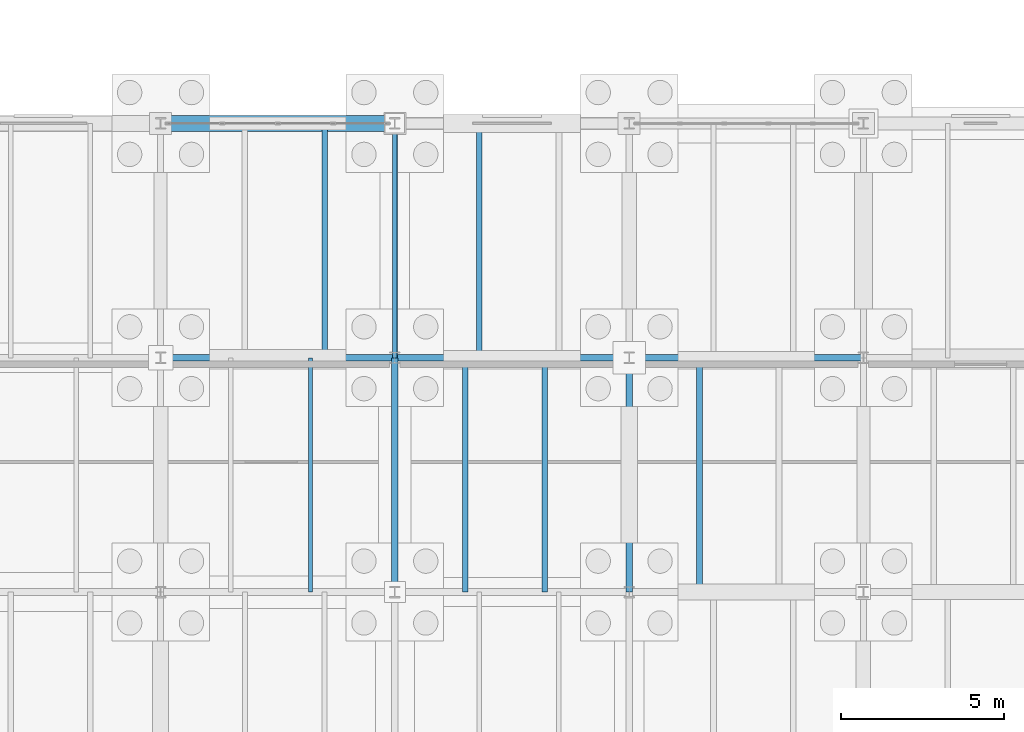
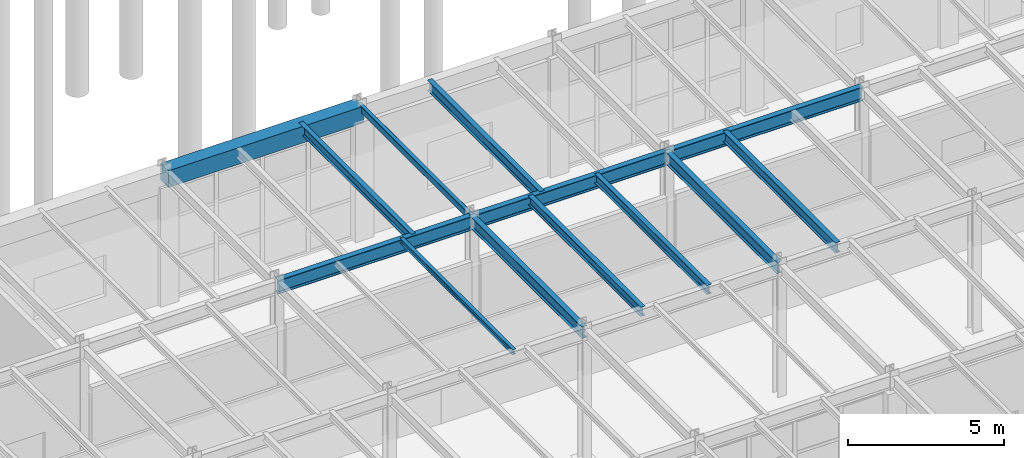
# One storey, part 90 of 293: 13 beams.
"""IFC4 building model written with IfcOpenShell, lengths in metres."""

from ifc_helpers import new_model, si_unit, direction, frame, origin, origin_2d, place, context, subcontext, project, spatial, rectangle, hollow_rectangle, i_section, extrude, material, material_profile, profile_set, type_object, element, save


model = new_model("IFC4")

# Units and contexts
model_context = context("Model", 3, precision=1e-05, world=origin(), true_north=direction((0.0, 1.0)))
body_context = subcontext(model_context, "Body", "Model", "MODEL_VIEW")
ifc_project = project(units=[si_unit("LENGTHUNIT", "METRE"), si_unit("AREAUNIT", "SQUARE_METRE"), si_unit("VOLUMEUNIT", "CUBIC_METRE"), si_unit("PLANEANGLEUNIT", "RADIAN"), si_unit("MASSUNIT", "GRAM", prefix="KILO")], contexts=[model_context])

# Site, building, storey
site_placement = place(None, origin())
site = spatial("IfcSite", under=ifc_project, at=site_placement, CompositionType="ELEMENT")
building_placement = place(site_placement, origin())
building = spatial("IfcBuilding", under=site, at=building_placement, Name="Kemerveld Promenade Tramway Depot", CompositionType="ELEMENT")
storey_placement = place(building_placement, origin())
storey = spatial("IfcBuildingStorey", under=building, at=storey_placement, Name="L00", CompositionType="ELEMENT", Elevation=0.0)

# Beams
ifc_material_1 = material(Name="Steel S355", Category="steel")
ifc_material_profile_1 = material_profile(ifc_material_1, i_section(OverallWidth=0.2099609375, OverallDepth=0.53662109375, WebThickness=0.0107421875, FlangeThickness=0.017333984375, FilletRadius=0.0126953125, at=origin_2d()), Name="533x210x101 UB")
ifc_profile_set_1 = profile_set([ifc_material_profile_1], Name="Steel S355")
beam_type_1 = type_object("IfcBeamType", Name="BM-G05", PredefinedType="BEAM", material=ifc_profile_set_1)
for number, where, z_axis, x_axis, name in (
    (1, (108.0, 21.60009765625, 4.906494140625), (1.0, 0.0, 0.0), (0.0, 1.0, 0.0), "BMX-L00-16-17-D"),
    (2, (115.199951171875, 21.60009765625, 4.906494140625), (1.0, 0.0, 0.0), (0.0, 1.0, 0.0), "BMX-L00-17-18-D"),
):
    element("IfcBeam", number, at=place(storey_placement, frame(where, z_axis=z_axis, x_axis=x_axis)), inside=storey, type_object=beam_type_1, Name=name, PredefinedType="BEAM", context=body_context, shape_type="SweptSolid", body=[
        extrude(i_section(OverallWidth=0.2099609375, OverallDepth=0.53662109375, WebThickness=0.0107421875, FlangeThickness=0.017333984375, FilletRadius=0.0126953125, at=origin_2d()), origin(), (0.0, 0.0, 1.0), 7.199951171875),
    ])
beam_1_placement = place(storey_placement, frame((122.39990234375, 21.60009765625, 4.906494140625), z_axis=(1.0, 0.0, 0.0), x_axis=(0.0, 1.0, 0.0)))
element("IfcBeam", 3, at=beam_1_placement, inside=storey, type_object=beam_type_1, Name="BMX-L00-18-19-D", PredefinedType="BEAM", context=body_context, shape_type="SweptSolid", body=[
    extrude(i_section(OverallWidth=0.2099609375, OverallDepth=0.53662109375, WebThickness=0.0107421875, FlangeThickness=0.017333984375, FilletRadius=0.0126953125, at=origin_2d()), origin(), (0.0, 0.0, 1.0), 7.2001953125),
])
ifc_material_profile_2 = material_profile(ifc_material_1, i_section(OverallWidth=0.19140625, OverallDepth=0.4599609375, WebThickness=0.010009765625, FlangeThickness=0.01611328125, FilletRadius=0.01025390625, at=origin_2d()), Name="457x191x82 UB")
ifc_profile_set_2 = profile_set([ifc_material_profile_2], Name="Steel S355")
beam_type_2 = type_object("IfcBeamType", Name="BM-G06", PredefinedType="BEAM", material=ifc_profile_set_2)
for number, where, z_axis, x_axis, name in (
    (4, (115.199951171875, 14.39990234375, 4.945068359375), (0.0, 1.0, 0.0), (-1.0, 0.0, 0.0), "BMY-L00-17-C-D"),
    (5, (122.39990234375, 14.39990234375, 4.945068359375), (0.0, 1.0, 0.0), (-1.0, 0.0, 0.0), "BMY-L00-18-C-D"),
):
    element("IfcBeam", number, at=place(storey_placement, frame(where, z_axis=z_axis, x_axis=x_axis)), inside=storey, type_object=beam_type_2, Name=name, PredefinedType="BEAM", context=body_context, shape_type="SweptSolid", body=[
        extrude(i_section(OverallWidth=0.19140625, OverallDepth=0.4599609375, WebThickness=0.010009765625, FlangeThickness=0.01611328125, FilletRadius=0.01025390625, at=origin_2d()), origin(), (0.0, 0.0, 1.0), 7.2001953125),
    ])
ifc_material_profile_3 = material_profile(ifc_material_1, i_section(OverallWidth=0.13330078125, OverallDepth=0.203125, WebThickness=0.005615234375, FlangeThickness=0.0078125, FilletRadius=0.007568359375, at=origin_2d()), Name="203x133x25 UB")
ifc_profile_set_3 = profile_set([ifc_material_profile_3], Name="Steel S355")
beam_type_3 = type_object("IfcBeamType", Name="BM-J03", PredefinedType="JOIST", material=ifc_profile_set_3)
beam_2_placement = place(storey_placement, frame((112.60791015625, 14.39990234375, 5.073486328125), z_axis=(0.0, 1.0, 0.0), x_axis=(-1.0, 0.0, 0.0)))
element("IfcBeam", 6, at=beam_2_placement, inside=storey, type_object=beam_type_3, Name="JST-L00-16-C-2", PredefinedType="JOIST", context=body_context, shape_type="SweptSolid", body=[
    extrude(i_section(OverallWidth=0.13330078125, OverallDepth=0.203125, WebThickness=0.005615234375, FlangeThickness=0.0078125, FilletRadius=0.007568359375, at=origin_2d()), origin(), (0.0, 0.0, 1.0), 7.2001953125),
])
ifc_material_profile_4 = material_profile(ifc_material_1, i_section(OverallWidth=0.172119140625, OverallDepth=0.35791015625, WebThickness=0.008056640625, FlangeThickness=0.012939453125, FilletRadius=0.01025390625, at=origin_2d()), Name="356x171x57 UB")
ifc_profile_set_4 = profile_set([ifc_material_profile_4], Name="Steel S355")
beam_type_4 = type_object("IfcBeamType", Name="BM-J04", PredefinedType="JOIST", material=ifc_profile_set_4)
beam_3_placement = place(storey_placement, frame((113.0400390625, 21.60009765625, 4.99609375), z_axis=(0.0, 1.0, 0.0), x_axis=(-1.0, 0.0, 0.0)))
element("IfcBeam", 7, at=beam_3_placement, inside=storey, type_object=beam_type_4, Name="JST-L00-16-D-2", PredefinedType="JOIST", context=body_context, shape_type="SweptSolid", body=[
    extrude(i_section(OverallWidth=0.172119140625, OverallDepth=0.35791015625, WebThickness=0.008056640625, FlangeThickness=0.012939453125, FilletRadius=0.01025390625, at=origin_2d()), origin(), (0.0, 0.0, 1.0), 7.199951171875),
])
for number, where, z_axis, x_axis, name in (
    (8, (117.360107421875, 14.39990234375, 4.99609375), (0.0, 1.0, 0.0), (-1.0, 0.0, 0.0), "JST-L00-17-C-1"),
    (9, (119.80810546875, 14.39990234375, 4.99609375), (0.0, 1.0, 0.0), (-1.0, 0.0, 0.0), "JST-L00-17-C-2"),
):
    element("IfcBeam", number, at=place(storey_placement, frame(where, z_axis=z_axis, x_axis=x_axis)), inside=storey, type_object=beam_type_4, Name=name, PredefinedType="JOIST", context=body_context, shape_type="SweptSolid", body=[
        extrude(i_section(OverallWidth=0.172119140625, OverallDepth=0.35791015625, WebThickness=0.008056640625, FlangeThickness=0.012939453125, FilletRadius=0.01025390625, at=origin_2d()), origin(), (0.0, 0.0, 1.0), 7.2001953125),
    ])
ifc_material_profile_5 = material_profile(ifc_material_1, i_section(OverallWidth=0.1787109375, OverallDepth=0.409423828125, WebThickness=0.0087890625, FlangeThickness=0.014404296875, FilletRadius=0.01025390625, at=origin_2d()), Name="406x178x67 UB")
ifc_profile_set_5 = profile_set([ifc_material_profile_5], Name="Steel S355")
beam_type_5 = type_object("IfcBeamType", Name="BM-J05", PredefinedType="JOIST", material=ifc_profile_set_5)
beam_4_placement = place(storey_placement, frame((117.7919921875, 21.60009765625, 4.97021484375), z_axis=(0.0, 1.0, 0.0), x_axis=(-1.0, 0.0, 0.0)))
element("IfcBeam", 10, at=beam_4_placement, inside=storey, type_object=beam_type_5, Name="JST-L00-17-D-1", PredefinedType="JOIST", context=body_context, shape_type="SweptSolid", body=[
    extrude(i_section(OverallWidth=0.1787109375, OverallDepth=0.409423828125, WebThickness=0.0087890625, FlangeThickness=0.014404296875, FilletRadius=0.01025390625, at=origin_2d()), origin(), (0.0, 0.0, 1.0), 7.199951171875),
])
beam_5_placement = place(storey_placement, frame((124.56005859375, 14.39990234375, 4.97021484375), z_axis=(0.0, 1.0, 0.0), x_axis=(-1.0, 0.0, 0.0)))
element("IfcBeam", 11, at=beam_5_placement, inside=storey, type_object=beam_type_5, Name="JST-L00-18-C-1", PredefinedType="JOIST", context=body_context, shape_type="SweptSolid", body=[
    extrude(i_section(OverallWidth=0.1787109375, OverallDepth=0.409423828125, WebThickness=0.0087890625, FlangeThickness=0.014404296875, FilletRadius=0.01025390625, at=origin_2d()), origin(), (0.0, 0.0, 1.0), 7.2001953125),
])
ifc_material_2 = material(Name="Concrete C40/50", Category="concrete")
ifc_material_profile_6 = material_profile(ifc_material_2, rectangle(XDim=0.5, YDim=0.64990234375, at=origin_2d()), Name="RC-PLINTH-500x650")
ifc_profile_set_6 = profile_set([ifc_material_profile_6], Name="Concrete C40/50")
beam_type_6 = type_object("IfcBeamType", Name="BM-PL1", PredefinedType="BEAM", material=ifc_profile_set_6)
beam_6_placement = place(storey_placement, frame((108.0, 28.800048828125, 4.85009765625), z_axis=(1.0, 0.0, 0.0), x_axis=(0.0, 1.0, 0.0)))
element("IfcBeam", 12, at=beam_6_placement, inside=storey, type_object=beam_type_6, Name="BMX-L00-16-17-E", PredefinedType="BEAM", context=body_context, shape_type="SweptSolid", body=[
    extrude(rectangle(XDim=0.5, YDim=0.64990234375, at=origin_2d()), origin(), (0.0, 0.0, 1.0), 7.199951171875),
])
ifc_material_profile_7 = material_profile(ifc_material_1, hollow_rectangle(XDim=0.14990234375, YDim=0.25, WallThickness=0.010009765625, InnerFilletRadius=0.0048828125, OuterFilletRadius=0.014892578125, at=origin_2d()), Name="250x150x10.0 RHS")
ifc_profile_set_7 = profile_set([ifc_material_profile_7], Name="Steel S355")
beam_type_7 = type_object("IfcBeamType", Name="BM-SP2", PredefinedType="SPANDREL", material=ifc_profile_set_7)
beam_7_placement = place(storey_placement, frame((115.199951171875, 21.60009765625, 5.050048828125), z_axis=(0.0, 1.0, 0.0), x_axis=(-1.0, 0.0, 0.0)))
element("IfcBeam", 13, at=beam_7_placement, inside=storey, type_object=beam_type_7, Name="BMY-L00-17-D-E", PredefinedType="SPANDREL", context=body_context, shape_type="SweptSolid", body=[
    extrude(hollow_rectangle(XDim=0.14990234375, YDim=0.25, WallThickness=0.010009765625, InnerFilletRadius=0.0048828125, OuterFilletRadius=0.014892578125, at=origin_2d()), origin(), (0.0, 0.0, 1.0), 7.199951171875),
])

save(model, "model.ifc")
